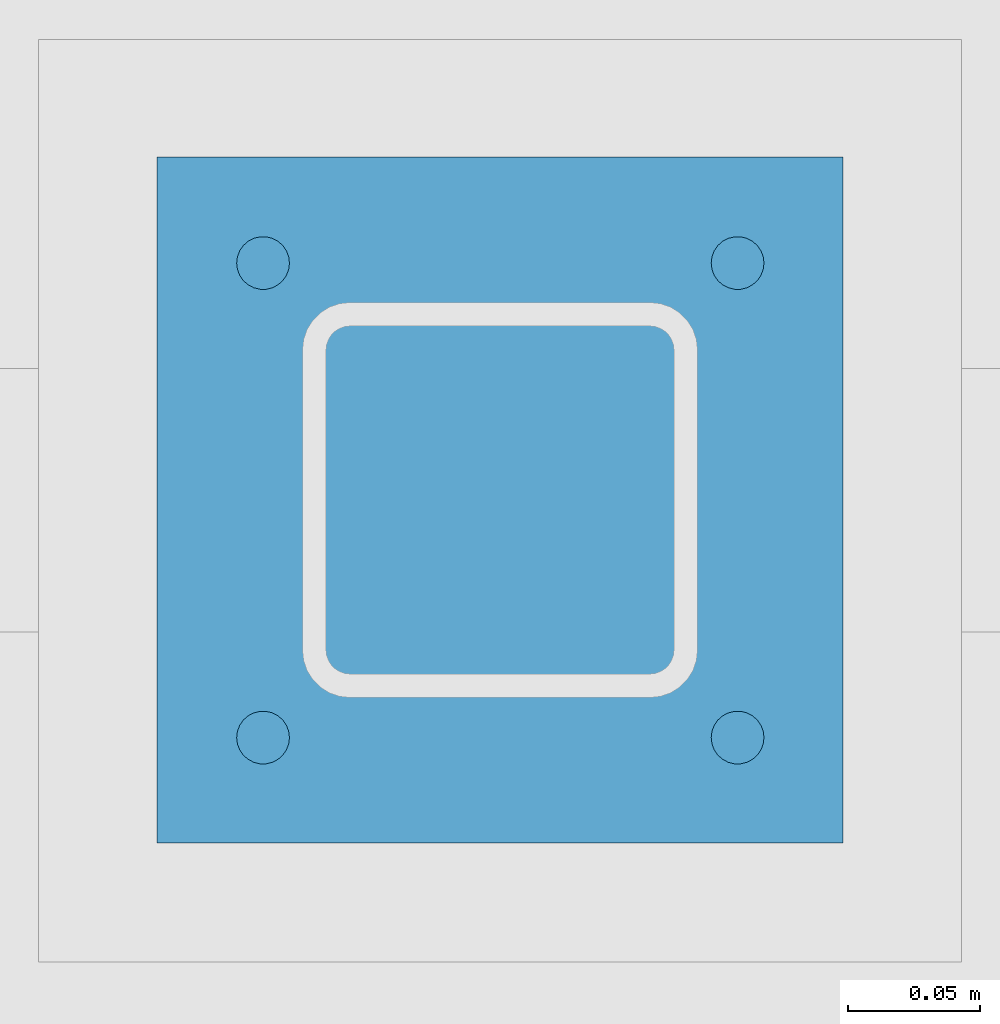
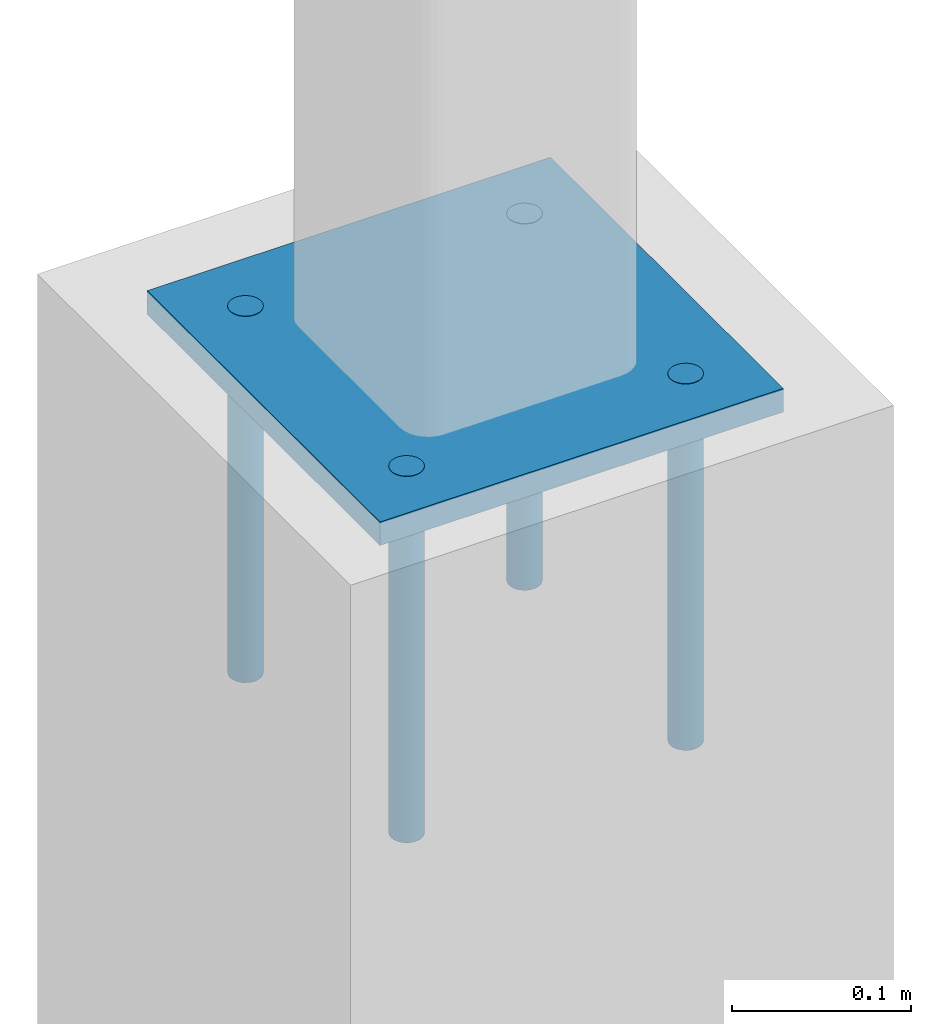
# One storey, part 8 of 10: 4 mechanical fasteners, 1 discrete accessory.
"""IFC4 building model written with IfcOpenShell, lengths in metres."""

from ifc_helpers import new_model, si_unit, direction, frame, origin, origin_2d, place, context, subcontext, project, spatial, rectangle, circle, extrude, material, element, save


model = new_model("IFC4")

# Units and contexts
model_context = context("Model", 3, precision=1e-05, world=origin(), true_north=direction((0.0, 1.0)))
body_context = subcontext(model_context, "Body", "Model", "MODEL_VIEW")
ifc_project = project(units=[si_unit("LENGTHUNIT", "METRE"), si_unit("AREAUNIT", "SQUARE_METRE"), si_unit("VOLUMEUNIT", "CUBIC_METRE"), si_unit("PLANEANGLEUNIT", "RADIAN"), si_unit("MASSUNIT", "GRAM", prefix="KILO")], contexts=[model_context])

# Site, building, storey
site_placement = place(None, origin())
site = spatial("IfcSite", under=ifc_project, at=site_placement, CompositionType="ELEMENT")
building_placement = place(site_placement, origin())
building = spatial("IfcBuilding", under=site, at=building_placement, Name="Silangan Lancet Faculty of Sciences", CompositionType="ELEMENT")
storey_placement = place(building_placement, frame((0.0, 0.0, 81.300048828125)))
storey = spatial("IfcBuildingStorey", under=building, at=storey_placement, Name="ROOF", CompositionType="ELEMENT", Elevation=81.300048828125)

# Discrete accessory
ifc_material_1 = material(Name="Steel SS400", Category="steel")
discrete_accessory_placement = place(storey_placement, frame((28.699951171875, 0.10009765625, 9.1337890625), z_axis=(0.0, 0.0, 1.0), x_axis=(1.0, 0.0, 0.0)))
element("IfcDiscreteAccessory", 1, at=discrete_accessory_placement, inside=storey, material=ifc_material_1, Name="Pinnacle seat plate RS3 ST-SE", PredefinedType="ANCHORPLATE", context=body_context, shape_type="SweptSolid", body=[
    extrude(rectangle(XDim=0.260009765625, YDim=0.260009765625, at=origin_2d()), origin(), (0.0, 0.0, 1.0), 0.01611328125),
])

# Mechanical fasteners
ifc_material_2 = material(Name="Steel grade 8.8", Category="steel")
for number, where, z_axis, x_axis, name in (
    (2, (28.610107421875, 0.010009765625, 8.89990234375), (0.0, 0.0, 1.0), (1.0, 0.0, 0.0), "Anchor bolt RS3 ST-SE-1"),
    (3, (28.610107421875, 0.18994140625, 8.89990234375), (0.0, 0.0, 1.0), (1.0, 0.0, 0.0), "Anchor bolt RS3 ST-SE-2"),
    (4, (28.7900390625, 0.010009765625, 8.89990234375), (0.0, 0.0, 1.0), (1.0, 0.0, 0.0), "Anchor bolt RS3 ST-SE-3"),
    (5, (28.7900390625, 0.18994140625, 8.89990234375), (0.0, 0.0, 1.0), (1.0, 0.0, 0.0), "Anchor bolt RS3 ST-SE-4"),
):
    element("IfcMechanicalFastener", number, at=place(storey_placement, frame(where, z_axis=z_axis, x_axis=x_axis)), inside=storey, material=ifc_material_2, Name=name, NominalDiameter=0.02, NominalLength=0.25, PredefinedType="ANCHORBOLT", context=body_context, shape_type="SweptSolid", body=[
        extrude(circle(Radius=0.010009765625, at=origin_2d()), origin(), (0.0, 0.0, 1.0), 0.25),
    ])

save(model, "model.ifc")
